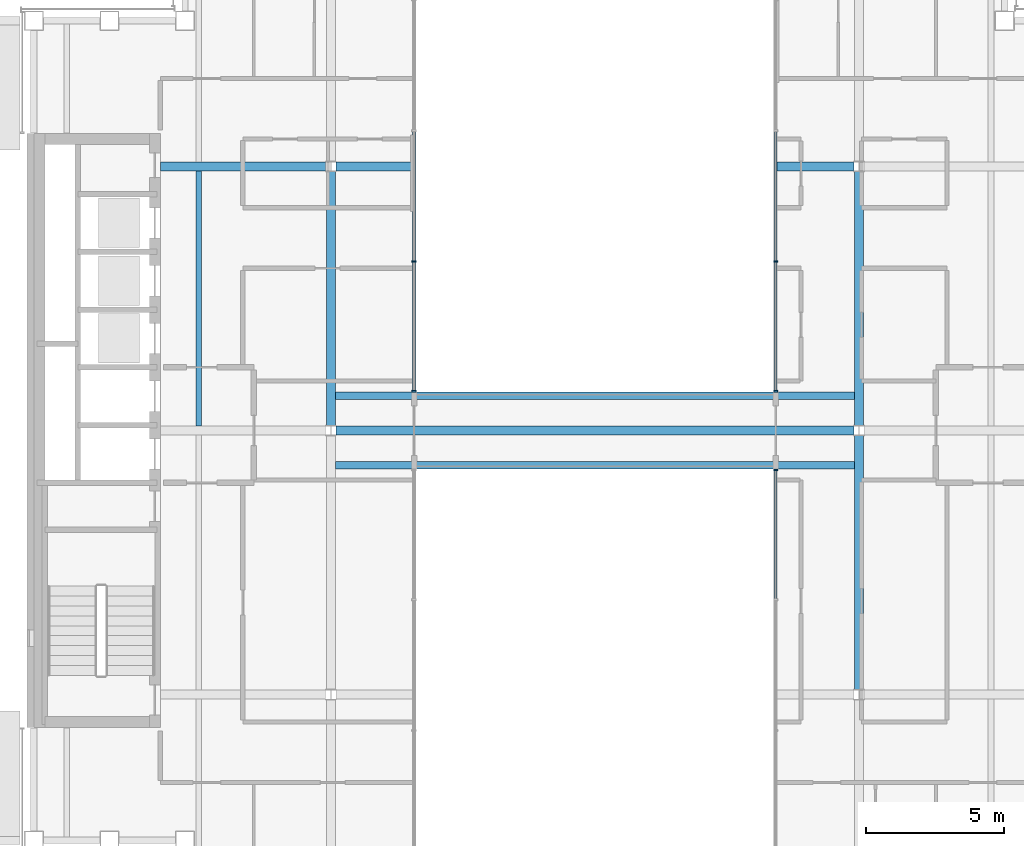
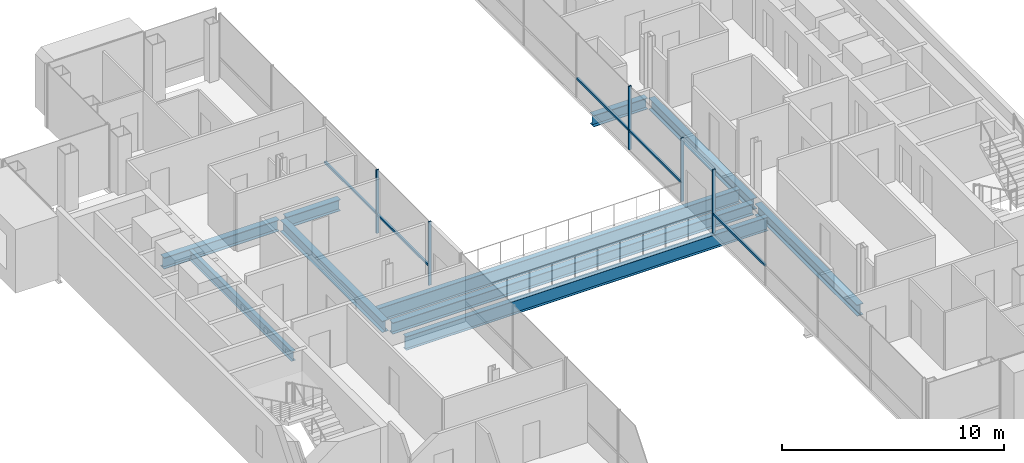
# One storey, part 5 of 17: 10 beams, 10 members, 3 elements without a shape of their own.
"""IFC4 building model written with IfcOpenShell, lengths in metres."""

from ifc_helpers import new_model, si_unit, direction, frame, origin, origin_2d, place, context, subcontext, project, spatial, rectangle, i_section, extrude, material, material_profile, profile_set, type_object, element, aggregate, save


model = new_model("IFC4")

# Units and contexts
model_context = context("Model", 3, precision=1e-05, world=origin(), true_north=direction((0.0, 1.0)))
body_context = subcontext(model_context, "Body", "Model", "MODEL_VIEW")
ifc_project = project(units=[si_unit("LENGTHUNIT", "METRE"), si_unit("AREAUNIT", "SQUARE_METRE"), si_unit("VOLUMEUNIT", "CUBIC_METRE"), si_unit("PLANEANGLEUNIT", "RADIAN"), si_unit("MASSUNIT", "GRAM", prefix="KILO")], contexts=[model_context])

# Site, building, storey
site_placement = place(None, origin())
site = spatial("IfcSite", under=ifc_project, at=site_placement, CompositionType="ELEMENT")
building_placement = place(site_placement, origin())
building = spatial("IfcBuilding", under=site, at=building_placement, Name="Cobrizo Arcos Hotel Tower", CompositionType="ELEMENT")
storey_placement = place(building_placement, frame((0.0, 0.0, 233.0)))
storey = spatial("IfcBuildingStorey", under=building, at=storey_placement, Name="L61", CompositionType="ELEMENT", Elevation=233.0)

# Curtain wall, member
ifc_material_1 = material(Name="Aluminium 6063-T6 anodised bronze", Category="aluminium")
curtain_wall_type = type_object("IfcCurtainWallType", Name="CW-F void screen", PredefinedType="NOTDEFINED", material=ifc_material_1)
curtain_wall_1_placement = place(storey_placement, origin())
curtain_wall_1 = element("IfcCurtainWall", 1, at=curtain_wall_1_placement, inside=storey, type_object=curtain_wall_type, Name="CW-F L61 void screen C", PredefinedType="NOTDEFINED")
ifc_material_profile_1 = material_profile(ifc_material_1, rectangle(XDim=0.14990234375, YDim=0.06005859375, at=origin_2d()), Name="CW-F mullion 150x60")
ifc_profile_set_1 = profile_set([ifc_material_profile_1], Name="Aluminium 6063-T6 anodised bronze")
member_type_1 = type_object("IfcMemberType", Name="CW-F mullion 150x60", PredefinedType="MULLION", material=ifc_profile_set_1)
member_1_placement = place(storey_placement, frame((6.574951171875, -1.429931640625, 0.0), z_axis=(0.0, 0.0, 1.0), x_axis=(1.0, 0.0, 0.0)))
member_1 = element("IfcMember", 2, at=member_1_placement, type_object=member_type_1, Name="CW-F mullion 5", PredefinedType="MULLION", context=body_context, shape_type="SweptSolid", body=[
    extrude(rectangle(XDim=0.14990234375, YDim=0.06005859375, at=origin_2d()), origin(), (0.0, 0.0, 1.0), 3.5),
])

# Curtain wall, members
curtain_wall_2_placement = place(storey_placement, origin())
curtain_wall_2 = element("IfcCurtainWall", 3, at=curtain_wall_2_placement, inside=storey, type_object=curtain_wall_type, Name="CW-F L61 void screen C", PredefinedType="NOTDEFINED")
member_2_placement = place(storey_placement, frame((6.574951171875, 1.429931640625, 0.0), z_axis=(0.0, 0.0, 1.0), x_axis=(1.0, 0.0, 0.0)))
member_2 = element("IfcMember", 4, at=member_2_placement, type_object=member_type_1, Name="CW-F mullion 1", PredefinedType="MULLION", context=body_context, shape_type="SweptSolid", body=[
    extrude(rectangle(XDim=0.14990234375, YDim=0.06005859375, at=origin_2d()), origin(), (0.0, 0.0, 1.0), 3.5),
])
member_3_placement = place(storey_placement, frame((6.574951171875, 6.14990234375, 0.0), z_axis=(0.0, 0.0, 1.0), x_axis=(1.0, 0.0, 0.0)))
member_3 = element("IfcMember", 5, at=member_3_placement, type_object=member_type_1, Name="CW-F mullion 2", PredefinedType="MULLION", context=body_context, shape_type="SweptSolid", body=[
    extrude(rectangle(XDim=0.14990234375, YDim=0.06005859375, at=origin_2d()), origin(), (0.0, 0.0, 1.0), 3.5),
])

curtain_wall_3_placement = place(storey_placement, origin())
curtain_wall_3 = element("IfcCurtainWall", 6, at=curtain_wall_3_placement, inside=storey, type_object=curtain_wall_type, Name="CW-F L61 void screen C", PredefinedType="NOTDEFINED")
member_4_placement = place(storey_placement, frame((-6.574951171875, 6.14990234375, 0.0), z_axis=(0.0, 0.0, 1.0), x_axis=(-1.0, 0.0, 0.0)))
member_4 = element("IfcMember", 7, at=member_4_placement, type_object=member_type_1, Name="CW-F mullion 4", PredefinedType="MULLION", context=body_context, shape_type="SweptSolid", body=[
    extrude(rectangle(XDim=0.14990234375, YDim=0.06005859375, at=origin_2d()), origin(), (0.0, 0.0, 1.0), 3.5),
])
member_5_placement = place(storey_placement, frame((-6.574951171875, 1.429931640625, 0.0), z_axis=(0.0, 0.0, 1.0), x_axis=(-1.0, 0.0, 0.0)))
member_5 = element("IfcMember", 8, at=member_5_placement, type_object=member_type_1, Name="CW-F mullion 5", PredefinedType="MULLION", context=body_context, shape_type="SweptSolid", body=[
    extrude(rectangle(XDim=0.14990234375, YDim=0.06005859375, at=origin_2d()), origin(), (0.0, 0.0, 1.0), 3.5),
])

# Member
ifc_material_profile_2 = material_profile(ifc_material_1, rectangle(XDim=0.10009765625, YDim=0.1201171875, at=origin_2d()), Name="CW-F transom 120x100")
ifc_profile_set_2 = profile_set([ifc_material_profile_2], Name="Aluminium 6063-T6 anodised bronze")
member_type_2 = type_object("IfcMemberType", Name="CW-F transom 120x100", PredefinedType="USERDEFINED", material=ifc_profile_set_2)
member_6_placement = place(storey_placement, frame((6.574951171875, -6.1201171875, 1.050048828125), z_axis=(0.0, 1.0, 0.0), x_axis=(-1.0, 0.0, 0.0)))
member_6 = element("IfcMember", 9, at=member_6_placement, type_object=member_type_2, Name="CW-F transom 2751", ObjectType="TRANSOM", PredefinedType="USERDEFINED", context=body_context, shape_type="SweptSolid", body=[
    extrude(rectangle(XDim=0.10009765625, YDim=0.1201171875, at=origin_2d()), origin(), (0.0, 0.0, 1.0), 4.66015625),
])

aggregate(curtain_wall_1, [member_1, member_6])

member_7_placement = place(storey_placement, frame((6.574951171875, 1.4599609375, 1.050048828125), z_axis=(0.0, 1.0, 0.0), x_axis=(-1.0, 0.0, 0.0)))
member_7 = element("IfcMember", 10, at=member_7_placement, type_object=member_type_2, Name="CW-F transom 2752", ObjectType="TRANSOM", PredefinedType="USERDEFINED", context=body_context, shape_type="SweptSolid", body=[
    extrude(rectangle(XDim=0.10009765625, YDim=0.1201171875, at=origin_2d()), origin(), (0.0, 0.0, 1.0), 4.66015625),
])

member_8_placement = place(storey_placement, frame((6.574951171875, 6.179931640625, 1.050048828125), z_axis=(0.0, 1.0, 0.0), x_axis=(-1.0, 0.0, 0.0)))
member_8 = element("IfcMember", 11, at=member_8_placement, type_object=member_type_2, Name="CW-F transom 2753", ObjectType="TRANSOM", PredefinedType="USERDEFINED", context=body_context, shape_type="SweptSolid", body=[
    extrude(rectangle(XDim=0.10009765625, YDim=0.1201171875, at=origin_2d()), origin(), (0.0, 0.0, 1.0), 4.690185546875),
])

aggregate(curtain_wall_2, [member_2, member_3, member_7, member_8])

member_9_placement = place(storey_placement, frame((-6.574951171875, 10.8701171875, 1.050048828125), z_axis=(0.0, -1.0, 0.0), x_axis=(1.0, 0.0, 0.0)))
member_9 = element("IfcMember", 12, at=member_9_placement, type_object=member_type_2, Name="CW-F transom 2758", ObjectType="TRANSOM", PredefinedType="USERDEFINED", context=body_context, shape_type="SweptSolid", body=[
    extrude(rectangle(XDim=0.10009765625, YDim=0.1201171875, at=origin_2d()), origin(), (0.0, 0.0, 1.0), 4.690185546875),
])

member_10_placement = place(storey_placement, frame((-6.574951171875, 6.1201171875, 1.050048828125), z_axis=(0.0, -1.0, 0.0), x_axis=(1.0, 0.0, 0.0)))
member_10 = element("IfcMember", 13, at=member_10_placement, type_object=member_type_2, Name="CW-F transom 2759", ObjectType="TRANSOM", PredefinedType="USERDEFINED", context=body_context, shape_type="SweptSolid", body=[
    extrude(rectangle(XDim=0.10009765625, YDim=0.1201171875, at=origin_2d()), origin(), (0.0, 0.0, 1.0), 4.66015625),
])

aggregate(curtain_wall_3, [member_4, member_5, member_9, member_10])

# Beams
ifc_material_2 = material(Name="Steel ASTM A992 Grade 50", Category="steel")
ifc_material_profile_3 = material_profile(ifc_material_2, i_section(OverallWidth=0.209228515625, OverallDepth=0.533447265625, WebThickness=0.01025390625, FlangeThickness=0.015625, at=origin_2d()), Name="W21X62")
ifc_profile_set_3 = profile_set([ifc_material_profile_3], Name="Steel ASTM A992 Grade 50")
beam_type_1 = type_object("IfcBeamType", Name="W21X62 joist", PredefinedType="JOIST", material=ifc_profile_set_3)
beam_1_placement = place(storey_placement, frame((-14.39990234375, 0.163818359375, -0.416748046875), z_axis=(0.0, 1.0, 0.0), x_axis=(-1.0, 0.0, 0.0)))
element("IfcBeam", 14, at=beam_1_placement, inside=storey, type_object=beam_type_1, Name="Floor joist J1, L61, no. 005", PredefinedType="JOIST", context=body_context, shape_type="SweptSolid", body=[
    extrude(i_section(OverallWidth=0.209228515625, OverallDepth=0.533447265625, WebThickness=0.01025390625, FlangeThickness=0.015625, at=origin_2d()), origin(), (0.0, 0.0, 1.0), 9.272216796875),
])
ifc_material_profile_4 = material_profile(ifc_material_2, i_section(OverallWidth=0.32763671875, OverallDepth=0.622314453125, WebThickness=0.015380859375, FlangeThickness=0.0244140625, at=origin_2d()), Name="W24X131")
ifc_profile_set_4 = profile_set([ifc_material_profile_4], Name="Steel ASTM A992 Grade 50")
beam_type_2 = type_object("IfcBeamType", Name="W24X131 girder", PredefinedType="BEAM", material=ifc_profile_set_4)
beam_2_placement = place(storey_placement, frame((-9.413330078125, 0.0, -0.461181640625), z_axis=(1.0, 0.0, 0.0), x_axis=(0.0, 1.0, 0.0)))
element("IfcBeam", 15, at=beam_2_placement, inside=storey, type_object=beam_type_2, Name="Floor girder G1, L61, no. 006", PredefinedType="BEAM", context=body_context, shape_type="SweptSolid", body=[
    extrude(i_section(OverallWidth=0.32763671875, OverallDepth=0.622314453125, WebThickness=0.015380859375, FlangeThickness=0.0244140625, at=origin_2d()), origin(), (0.0, 0.0, 1.0), 18.82666015625),
])
beam_3_placement = place(storey_placement, frame((-15.7900390625, 9.60009765625, -0.461181640625), z_axis=(1.0, 0.0, 0.0), x_axis=(0.0, 1.0, 0.0)))
element("IfcBeam", 16, at=beam_3_placement, inside=storey, type_object=beam_type_2, Name="Floor girder G1, L61, no. 008", PredefinedType="BEAM", context=body_context, shape_type="SweptSolid", body=[
    extrude(i_section(OverallWidth=0.32763671875, OverallDepth=0.622314453125, WebThickness=0.015380859375, FlangeThickness=0.0244140625, at=origin_2d()), origin(), (0.0, 0.0, 1.0), 6.00341796875),
])
for number, where, z_axis, x_axis, name in (
    (17, (-9.413330078125, 9.60009765625, -0.461181640625), (1.0, 0.0, 0.0), (0.0, 1.0, 0.0), "Floor girder G1, L61, no. 009"),
    (18, (6.590087890625, 9.60009765625, -0.461181640625), (1.0, 0.0, 0.0), (0.0, 1.0, 0.0), "Floor girder G1, L61, no. 010"),
):
    element("IfcBeam", number, at=place(storey_placement, frame(where, z_axis=z_axis, x_axis=x_axis)), inside=storey, type_object=beam_type_2, Name=name, PredefinedType="BEAM", context=body_context, shape_type="SweptSolid", body=[
        extrude(i_section(OverallWidth=0.32763671875, OverallDepth=0.622314453125, WebThickness=0.015380859375, FlangeThickness=0.0244140625, at=origin_2d()), origin(), (0.0, 0.0, 1.0), 2.8232421875),
    ])
for number, where, z_axis, x_axis, name in (
    (19, (-9.60009765625, 0.186767578125, -0.461181640625), (0.0, 1.0, 0.0), (-1.0, 0.0, 0.0), "Floor girder G1, L61, no. 014"),
    (20, (9.60009765625, -9.413330078125, -0.461181640625), (0.0, 1.0, 0.0), (-1.0, 0.0, 0.0), "Floor girder G1, L61, no. 017"),
    (21, (9.60009765625, 0.186767578125, -0.461181640625), (0.0, 1.0, 0.0), (-1.0, 0.0, 0.0), "Floor girder G1, L61, no. 018"),
):
    element("IfcBeam", number, at=place(storey_placement, frame(where, z_axis=z_axis, x_axis=x_axis)), inside=storey, type_object=beam_type_2, Name=name, PredefinedType="BEAM", context=body_context, shape_type="SweptSolid", body=[
        extrude(i_section(OverallWidth=0.32763671875, OverallDepth=0.622314453125, WebThickness=0.015380859375, FlangeThickness=0.0244140625, at=origin_2d()), origin(), (0.0, 0.0, 1.0), 9.2265625),
    ])
ifc_material_profile_5 = material_profile(ifc_material_2, i_section(OverallWidth=0.2666015625, OverallDepth=0.7568359375, WebThickness=0.013916015625, FlangeThickness=0.019287109375, at=origin_2d()), Name="W30X108")
ifc_profile_set_5 = profile_set([ifc_material_profile_5], Name="Steel ASTM A992 Grade 50")
beam_type_3 = type_object("IfcBeamType", Name="W30X108 bridge girder", PredefinedType="BEAM", material=ifc_profile_set_5)
for number, where, z_axis, x_axis, name in (
    (22, (-9.43603515625, -1.2666015625, -0.5283203125), (1.0, 0.0, 0.0), (0.0, 1.0, 0.0), "Bridge girder BG1, L61, no. 001"),
    (23, (-9.43603515625, 1.2666015625, -0.5283203125), (1.0, 0.0, 0.0), (0.0, 1.0, 0.0), "Bridge girder BG1, L61, no. 002"),
):
    element("IfcBeam", number, at=place(storey_placement, frame(where, z_axis=z_axis, x_axis=x_axis)), inside=storey, type_object=beam_type_3, Name=name, PredefinedType="BEAM", context=body_context, shape_type="SweptSolid", body=[
        extrude(i_section(OverallWidth=0.2666015625, OverallDepth=0.7568359375, WebThickness=0.013916015625, FlangeThickness=0.019287109375, at=origin_2d()), origin(), (0.0, 0.0, 1.0), 18.8720703125),
    ])

save(model, "model.ifc")
